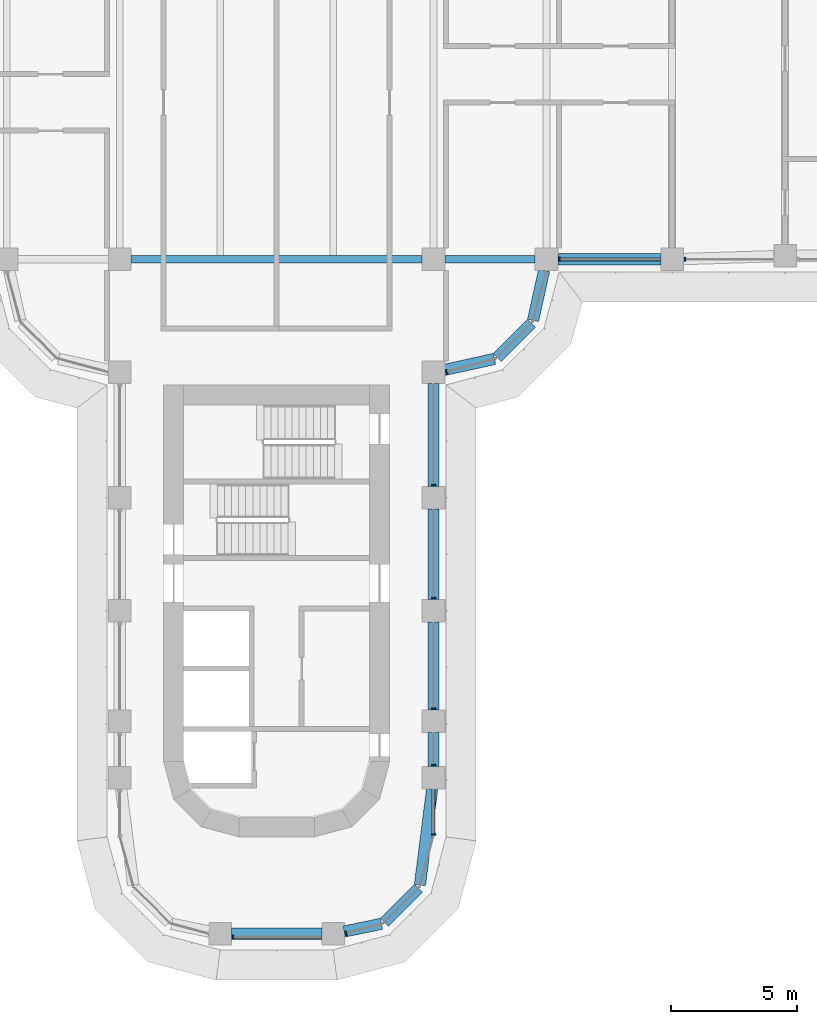
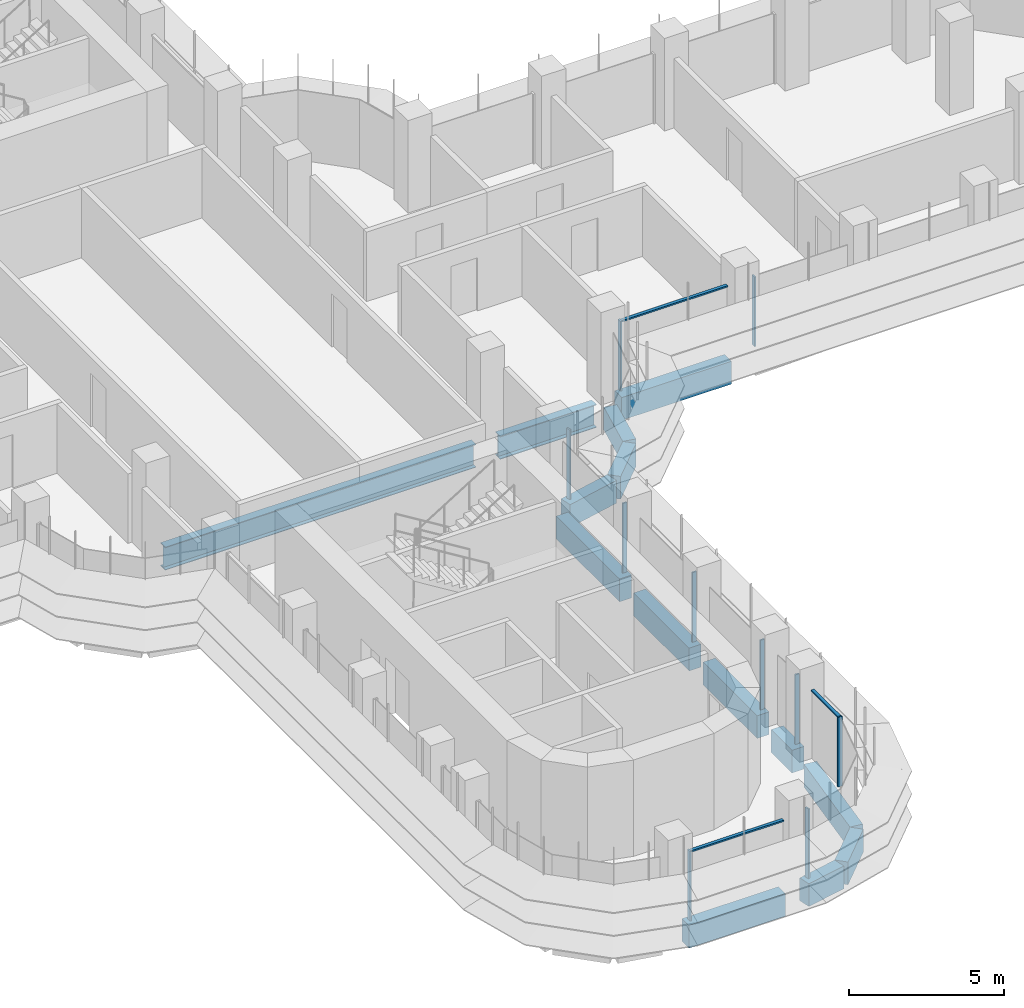
# One storey, part 4 of 23: 14 beams, 13 members, 5 elements without a shape of their own.
"""IFC4 building model written with IfcOpenShell, lengths in metres."""

from ifc_helpers import new_model, si_unit, direction, frame, origin, origin_2d, place, context, subcontext, project, spatial, polyline, rectangle, i_section, outline, extrude, source, transform, mapped, material, material_profile, profile_set, type_object, element, aggregate, save


model = new_model("IFC4")

# Units and contexts
model_context = context("Model", 3, precision=1e-05, world=origin(), true_north=direction((0.0, 1.0)))
body_context = subcontext(model_context, "Body", "Model", "MODEL_VIEW")
ifc_project = project(units=[si_unit("LENGTHUNIT", "METRE"), si_unit("AREAUNIT", "SQUARE_METRE"), si_unit("VOLUMEUNIT", "CUBIC_METRE"), si_unit("PLANEANGLEUNIT", "RADIAN"), si_unit("MASSUNIT", "GRAM", prefix="KILO")], contexts=[model_context])

# Site, building, storey
site_placement = place(None, origin())
site = spatial("IfcSite", under=ifc_project, at=site_placement, CompositionType="ELEMENT")
building_placement = place(site_placement, origin())
building = spatial("IfcBuilding", under=site, at=building_placement, Name="Zarbagh Exchange Tower", CompositionType="ELEMENT")
storey_placement = place(building_placement, frame((0.0, 0.0, 90.39990234375)))
storey = spatial("IfcBuildingStorey", under=building, at=storey_placement, Name="L20", CompositionType="ELEMENT", Elevation=90.39990234375)

# Beams
ifc_material_1 = material(Name="Steel ASTM A992 Gr 50", Category="steel")
ifc_material_profile_1 = material_profile(ifc_material_1, i_section(OverallWidth=0.3046875, OverallDepth=0.911865234375, WebThickness=0.015869140625, FlangeThickness=0.02392578125, at=origin_2d()), Name="W36X150")
ifc_profile_set_1 = profile_set([ifc_material_profile_1], Name="Steel ASTM A992 Gr 50")
beam_type_1 = type_object("IfcBeamType", Name="Floor girder W36X150", PredefinedType="BEAM", material=ifc_profile_set_1)
beam_1_placement = place(storey_placement, frame((-5.800048828125, -6.25, -0.605712890625), z_axis=(1.0, 0.0, 0.0), x_axis=(0.0, 1.0, 0.0)))
element("IfcBeam", 1, at=beam_1_placement, inside=storey, type_object=beam_type_1, Name="Steel girder", PredefinedType="BEAM", context=body_context, shape_type="SweptSolid", body=[
    extrude(i_section(OverallWidth=0.3046875, OverallDepth=0.911865234375, WebThickness=0.015869140625, FlangeThickness=0.02392578125, at=origin_2d()), origin(), (0.0, 0.0, 1.0), 11.60009765625),
])
beam_2_placement = place(storey_placement, frame((6.699951171875, -6.25, -0.605712890625), z_axis=(1.0, 0.0, 0.0), x_axis=(0.0, 1.0, 0.0)))
element("IfcBeam", 2, at=beam_2_placement, inside=storey, type_object=beam_type_1, Name="Steel girder", PredefinedType="BEAM", context=body_context, shape_type="SweptSolid", body=[
    extrude(i_section(OverallWidth=0.3046875, OverallDepth=0.911865234375, WebThickness=0.015869140625, FlangeThickness=0.02392578125, at=origin_2d()), origin(), (0.0, 0.0, 1.0), 3.60009765625),
])
ifc_material_2 = material(Name="Concrete C60/75", Category="concrete")
ifc_material_profile_2 = material_profile(ifc_material_2, rectangle(XDim=0.449951171875, YDim=0.89990234375, at=origin_2d()), Name="RC spandrel beam 450 x 900 C60/75")
ifc_profile_set_2 = profile_set([ifc_material_profile_2], Name="Concrete C60/75")
beam_type_2 = type_object("IfcBeamType", Name="RC spandrel beam 450 x 900 C60/75", PredefinedType="SPANDREL", material=ifc_profile_set_2)
beam_3_placement = place(storey_placement, frame((15.300048828125, -6.25, -0.599853515625), z_axis=(-1.0, 0.0, 0.0), x_axis=(0.0, -1.0, 0.0)))
element("IfcBeam", 3, at=beam_3_placement, inside=storey, type_object=beam_type_2, Name="RC spandrel beam", PredefinedType="SPANDREL", context=body_context, shape_type="SweptSolid", body=[
    extrude(rectangle(XDim=0.449951171875, YDim=0.89990234375, at=origin_2d()), origin(), (0.0, 0.0, 1.0), 4.10009765625),
])
beam_4_placement = place(storey_placement, frame((10.65283203125, -6.689453125, -0.599853515625), z_axis=(-0.216117666208, -0.976367325525, 0.0), x_axis=(0.976367325525, -0.216117666208, 0.0)))
element("IfcBeam", 4, at=beam_4_placement, inside=storey, type_object=beam_type_2, Name="RC spandrel beam", PredefinedType="SPANDREL", context=body_context, shape_type="SweptSolid", body=[
    extrude(rectangle(XDim=0.449951171875, YDim=0.89990234375, at=origin_2d()), origin(), (0.0, 0.0, 1.0), 2.03564453125),
])
beam_5_placement = place(storey_placement, frame((10.15234375, -8.78759765625, -0.599853515625), z_axis=(-0.707106781187, -0.707106781187, 0.0), x_axis=(0.707106781187, -0.707106781187, 0.0)))
element("IfcBeam", 5, at=beam_5_placement, inside=storey, type_object=beam_type_2, Name="RC spandrel beam", PredefinedType="SPANDREL", context=body_context, shape_type="SweptSolid", body=[
    extrude(rectangle(XDim=0.449951171875, YDim=0.89990234375, at=origin_2d()), origin(), (0.0, 0.0, 1.0), 1.929931640625),
])
beam_6_placement = place(storey_placement, frame((8.677001953125, -10.212890625, -0.599853515625), z_axis=(-0.976367325525, -0.216117666208, 0.0), x_axis=(0.216117666208, -0.976367325525, 0.0)))
element("IfcBeam", 6, at=beam_6_placement, inside=storey, type_object=beam_type_2, Name="RC spandrel beam", PredefinedType="SPANDREL", context=body_context, shape_type="SweptSolid", body=[
    extrude(rectangle(XDim=0.449951171875, YDim=0.89990234375, at=origin_2d()), origin(), (0.0, 0.0, 1.0), 2.03564453125),
])
beam_7_placement = place(storey_placement, frame((6.25, -11.199951171875, -0.599853515625), z_axis=(0.0, -1.0, 0.0), x_axis=(1.0, 0.0, 0.0)))
element("IfcBeam", 7, at=beam_7_placement, inside=storey, type_object=beam_type_2, Name="RC spandrel beam", PredefinedType="SPANDREL", context=body_context, shape_type="SweptSolid", body=[
    extrude(rectangle(XDim=0.449951171875, YDim=0.89990234375, at=origin_2d()), origin(), (0.0, 0.0, 1.0), 4.10009765625),
])
beam_8_placement = place(storey_placement, frame((6.25, -16.199951171875, -0.599853515625), z_axis=(0.0, -1.0, 0.0), x_axis=(1.0, 0.0, 0.0)))
element("IfcBeam", 8, at=beam_8_placement, inside=storey, type_object=beam_type_2, Name="RC spandrel beam", PredefinedType="SPANDREL", context=body_context, shape_type="SweptSolid", body=[
    extrude(rectangle(XDim=0.449951171875, YDim=0.89990234375, at=origin_2d()), origin(), (0.0, 0.0, 1.0), 3.60009765625),
])
beam_9_placement = place(storey_placement, frame((6.25, -20.699951171875, -0.599853515625), z_axis=(0.0, -1.0, 0.0), x_axis=(1.0, 0.0, 0.0)))
element("IfcBeam", 9, at=beam_9_placement, inside=storey, type_object=beam_type_2, Name="RC spandrel beam", PredefinedType="SPANDREL", context=body_context, shape_type="SweptSolid", body=[
    extrude(rectangle(XDim=0.449951171875, YDim=0.89990234375, at=origin_2d()), origin(), (0.0, 0.0, 1.0), 3.5),
])
beam_10_placement = place(storey_placement, frame((6.25, -25.10009765625, -0.599853515625), z_axis=(0.0, -1.0, 0.0), x_axis=(1.0, 0.0, 0.0)))
element("IfcBeam", 10, at=beam_10_placement, inside=storey, type_object=beam_type_2, Name="RC spandrel beam", PredefinedType="SPANDREL", context=body_context, shape_type="SweptSolid", body=[
    extrude(rectangle(XDim=0.449951171875, YDim=0.89990234375, at=origin_2d()), origin(), (0.0, 0.0, 1.0), 1.349853515625),
])
beam_11_placement = place(storey_placement, frame((6.193359375, -27.346435546875, -0.599853515625), z_axis=(-0.12597055537, -0.992033980859, 0.0), x_axis=(0.992033980859, -0.12597055537, 0.0)))
element("IfcBeam", 11, at=beam_11_placement, inside=storey, type_object=beam_type_2, Name="RC spandrel beam", PredefinedType="SPANDREL", context=body_context, shape_type="SweptSolid", body=[
    extrude(rectangle(XDim=0.449951171875, YDim=0.89990234375, at=origin_2d()), origin(), (0.0, 0.0, 1.0), 3.84912109375),
])
beam_12_placement = place(storey_placement, frame((5.644287109375, -31.295654296875, -0.599853515625), z_axis=(-0.707106781187, -0.707106781187, 0.0), x_axis=(0.707106781187, -0.707106781187, 0.0)))
element("IfcBeam", 12, at=beam_12_placement, inside=storey, type_object=beam_type_2, Name="RC spandrel beam", PredefinedType="SPANDREL", context=body_context, shape_type="SweptSolid", body=[
    extrude(rectangle(XDim=0.449951171875, YDim=0.89990234375, at=origin_2d()), origin(), (0.0, 0.0, 1.0), 1.9169921875),
])
beam_13_placement = place(storey_placement, frame((4.17529296875, -32.71240234375, -0.599853515625), z_axis=(-0.979328675816, -0.202275417995, 0.0), x_axis=(0.202275417995, -0.979328675816, 0.0)))
element("IfcBeam", 13, at=beam_13_placement, inside=storey, type_object=beam_type_2, Name="RC spandrel beam", PredefinedType="SPANDREL", context=body_context, shape_type="SweptSolid", body=[
    extrude(rectangle(XDim=0.449951171875, YDim=0.89990234375, at=origin_2d()), origin(), (0.0, 0.0, 1.0), 1.515869140625),
])
beam_14_placement = place(storey_placement, frame((1.800048828125, -33.110107421875, -0.599853515625), z_axis=(-1.0, 0.0, 0.0), x_axis=(0.0, -1.0, 0.0)))
element("IfcBeam", 14, at=beam_14_placement, inside=storey, type_object=beam_type_2, Name="RC spandrel beam", PredefinedType="SPANDREL", context=body_context, shape_type="SweptSolid", body=[
    extrude(rectangle(XDim=0.449951171875, YDim=0.89990234375, at=origin_2d()), origin(), (0.0, 0.0, 1.0), 3.60009765625),
])

# Curtain wall, member
ifc_material_3 = material(Name="Anodised aluminium frame and glazing", Category="aluminium")
curtain_wall_type = type_object("IfcCurtainWallType", Name="CWA Ribbon glazing, lower zones", PredefinedType="NOTDEFINED", material=ifc_material_3)
curtain_wall_1_placement = place(storey_placement, origin())
curtain_wall_1 = element("IfcCurtainWall", 15, at=curtain_wall_1_placement, inside=storey, type_object=curtain_wall_type, Name="CWA01 curtain wall", PredefinedType="NOTDEFINED")
ifc_material_4 = material(Name="Anodised aluminium frame", Category="aluminium")
member_type_1 = type_object("IfcMemberType", Name="MUA Mullion, anodised aluminium frame", PredefinedType="MULLION", material=ifc_material_4)
shared_shape_1 = source(origin(), body_context, "Body", "SweptSolid", [
    extrude(outline(polyline([(0.0, -0.080078125), (0.06005859375, -0.080078125), (0.06005859375, 0.080078125), (0.0, 0.080078125), (0.0, -0.080078125)])), origin(), (0.0, 0.0, 1.0), 2.75),
])
placement = place(storey_placement, origin())
member_1 = element("IfcMember", 16, at=placement, type_object=member_type_1, Name="CWA01 mullion 1.1", PredefinedType="MULLION", context=body_context, shape_type="MappedRepresentation", body=[
    mapped(shared_shape_1, transform((2.739990234375, -33.10107421875, 0.0), x_axis=(0.965924289636, 0.258824779902, 0.0), y_axis=(-0.258824779902, 0.965924289636, 0.0), z_axis=(0.0, 0.0, 1.0))),
])
aggregate(curtain_wall_1, [member_1])

# Curtain wall, members
curtain_wall_2_placement = place(storey_placement, origin())
curtain_wall_2 = element("IfcCurtainWall", 17, at=curtain_wall_2_placement, inside=storey, type_object=curtain_wall_type, Name="CWA04 curtain wall", PredefinedType="NOTDEFINED")
member_2 = element("IfcMember", 18, at=placement, type_object=member_type_1, Name="CWA04 mullion 1.1", PredefinedType="MULLION", context=body_context, shape_type="MappedRepresentation", body=[
    mapped(shared_shape_1, transform((6.25, -29.18408203125, 0.0), x_axis=(0.0, 1.0, 0.0), y_axis=(-1.0, 0.0, 0.0), z_axis=(0.0, 0.0, 1.0))),
])
member_3 = element("IfcMember", 19, at=placement, type_object=member_type_1, Name="CWA04 mullion 2.1", PredefinedType="MULLION", context=body_context, shape_type="MappedRepresentation", body=[
    mapped(shared_shape_1, transform((6.25, -26.409912109375, 0.0), x_axis=(0.0, 1.0, 0.0), y_axis=(-1.0, 0.0, 0.0), z_axis=(0.0, 0.0, 1.0))),
])
member_4 = element("IfcMember", 20, at=placement, type_object=member_type_1, Name="CWA04 mullion 3.1", PredefinedType="MULLION", context=body_context, shape_type="MappedRepresentation", body=[
    mapped(shared_shape_1, transform((6.25, -24.159912109375, 0.0), x_axis=(0.0, 1.0, 0.0), y_axis=(-1.0, 0.0, 0.0), z_axis=(0.0, 0.0, 1.0))),
])
member_5 = element("IfcMember", 21, at=placement, type_object=member_type_1, Name="CWA04 mullion 4.1", PredefinedType="MULLION", context=body_context, shape_type="MappedRepresentation", body=[
    mapped(shared_shape_1, transform((6.25, -19.760009765625, 0.0), x_axis=(0.0, 1.0, 0.0), y_axis=(-1.0, 0.0, 0.0), z_axis=(0.0, 0.0, 1.0))),
])
member_6 = element("IfcMember", 22, at=placement, type_object=member_type_1, Name="CWA04 mullion 5.1", PredefinedType="MULLION", context=body_context, shape_type="MappedRepresentation", body=[
    mapped(shared_shape_1, transform((6.25, -15.260009765625, 0.0), x_axis=(0.0, 1.0, 0.0), y_axis=(-1.0, 0.0, 0.0), z_axis=(0.0, 0.0, 1.0))),
])

# Curtain wall, member
curtain_wall_3_placement = place(storey_placement, origin())
curtain_wall_3 = element("IfcCurtainWall", 23, at=curtain_wall_3_placement, inside=storey, type_object=curtain_wall_type, Name="CWA05 curtain wall", PredefinedType="NOTDEFINED")
member_7 = element("IfcMember", 24, at=placement, type_object=member_type_1, Name="CWA05 mullion 1.1", PredefinedType="MULLION", context=body_context, shape_type="MappedRepresentation", body=[
    mapped(shared_shape_1, transform((6.739990234375, -10.735107421875, 0.0), x_axis=(0.965924289636, 0.258824779902, 0.0), y_axis=(-0.258824779902, 0.965924289636, 0.0), z_axis=(0.0, 0.0, 1.0))),
])
aggregate(curtain_wall_3, [member_7])

# Curtain wall, members
curtain_wall_4_placement = place(storey_placement, origin())
curtain_wall_4 = element("IfcCurtainWall", 25, at=curtain_wall_4_placement, inside=storey, type_object=curtain_wall_type, Name="CWA08 curtain wall", PredefinedType="NOTDEFINED")
member_8 = element("IfcMember", 26, at=placement, type_object=member_type_1, Name="CWA08 mullion 1.1", PredefinedType="MULLION", context=body_context, shape_type="MappedRepresentation", body=[
    mapped(shared_shape_1, transform((11.239990234375, -6.25, 0.0), x_axis=(1.0, 0.0, 0.0), y_axis=(0.0, 1.0, 0.0), z_axis=(0.0, 0.0, 1.0))),
])
member_9 = element("IfcMember", 27, at=placement, type_object=member_type_1, Name="CWA08 mullion 2.1", PredefinedType="MULLION", context=body_context, shape_type="MappedRepresentation", body=[
    mapped(shared_shape_1, transform((16.239990234375, -6.25, 0.0), x_axis=(1.0, 0.0, 0.0), y_axis=(0.0, 1.0, 0.0), z_axis=(0.0, 0.0, 1.0))),
])

# Curtain wall, member
curtain_wall_5_placement = place(storey_placement, origin())
curtain_wall_5 = element("IfcCurtainWall", 28, at=curtain_wall_5_placement, inside=storey, type_object=curtain_wall_type, Name="CWA48 curtain wall", PredefinedType="NOTDEFINED")
member_10 = element("IfcMember", 29, at=placement, type_object=member_type_1, Name="CWA48 mullion 1.1", PredefinedType="MULLION", context=body_context, shape_type="MappedRepresentation", body=[
    mapped(shared_shape_1, transform((-1.760009765625, -33.25, 0.0), x_axis=(1.0, 0.0, 0.0), y_axis=(0.0, 1.0, 0.0), z_axis=(0.0, 0.0, 1.0))),
])

# Member
member_type_2 = type_object("IfcMemberType", Name="TRA Transom, anodised aluminium frame", PredefinedType="USERDEFINED", material=ifc_material_4)
shared_shape_2 = source(origin(), body_context, "Body", "SweptSolid", [
    extrude(outline(polyline([(-0.06005859375, -0.06005859375), (0.0, -0.06005859375), (0.0, 0.06005859375), (-0.06005859375, 0.06005859375), (-0.06005859375, -0.06005859375)])), origin(), (0.0, 0.0, 1.0), 1.734130859375),
])
member_11 = element("IfcMember", 30, at=placement, type_object=member_type_2, Name="CWA04 transom 1.1", ObjectType="TRANSOM", PredefinedType="USERDEFINED", context=body_context, shape_type="MappedRepresentation", body=[
    mapped(shared_shape_2, transform((6.25, -29.124267578125, 2.75), x_axis=(0.0, 0.0, 1.0), y_axis=(1.0, 0.0, 0.0), z_axis=(0.0, 1.0, 0.0))),
])

aggregate(curtain_wall_2, [member_2, member_11, member_3, member_4, member_5, member_6])

shared_shape_3 = source(origin(), body_context, "Body", "SweptSolid", [
    extrude(outline(polyline([(-0.06005859375, -0.06005859375), (0.0, -0.06005859375), (0.0, 0.06005859375), (-0.06005859375, 0.06005859375), (-0.06005859375, -0.06005859375)])), origin(), (0.0, 0.0, 1.0), 3.9599609375),
])
member_12 = element("IfcMember", 31, at=placement, type_object=member_type_2, Name="CWA08 transom 1.1", ObjectType="TRANSOM", PredefinedType="USERDEFINED", context=body_context, shape_type="MappedRepresentation", body=[
    mapped(shared_shape_3, transform((11.300048828125, -6.25, 2.75), x_axis=(0.0, 0.0, 1.0), y_axis=(0.0, -1.0, 0.0), z_axis=(1.0, 0.0, 0.0))),
])

aggregate(curtain_wall_4, [member_8, member_12, member_9])

shared_shape_4 = source(origin(), body_context, "Body", "SweptSolid", [
    extrude(outline(polyline([(-0.06005859375, -0.06005859375), (0.0, -0.06005859375), (0.0, 0.06005859375), (-0.06005859375, 0.06005859375), (-0.06005859375, -0.06005859375)])), origin(), (0.0, 0.0, 1.0), 3.4599609375),
])
member_13 = element("IfcMember", 32, at=placement, type_object=member_type_2, Name="CWA48 transom 1.1", ObjectType="TRANSOM", PredefinedType="USERDEFINED", context=body_context, shape_type="MappedRepresentation", body=[
    mapped(shared_shape_4, transform((-1.699951171875, -33.25, 2.75), x_axis=(0.0, 0.0, 1.0), y_axis=(0.0, -1.0, 0.0), z_axis=(1.0, 0.0, 0.0))),
])

aggregate(curtain_wall_5, [member_10, member_13])

save(model, "model.ifc")
